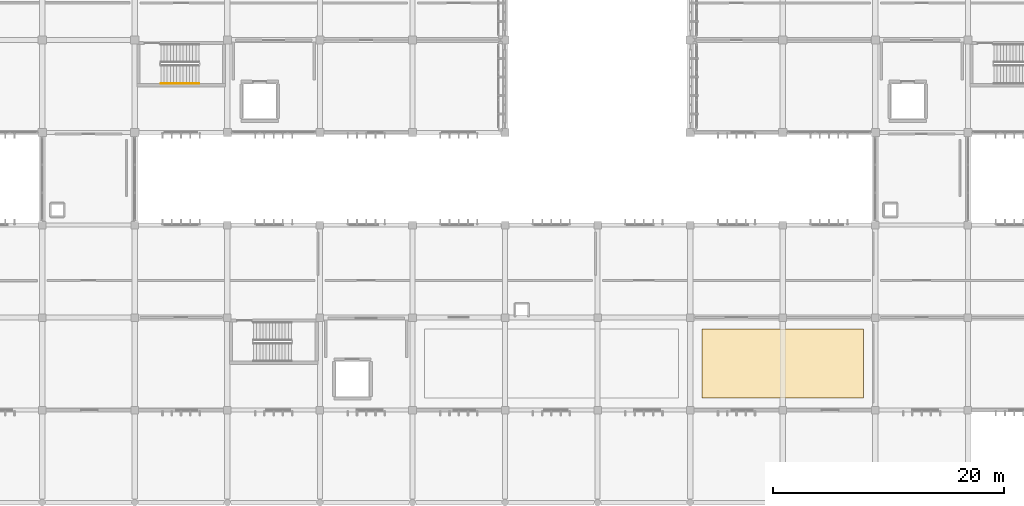
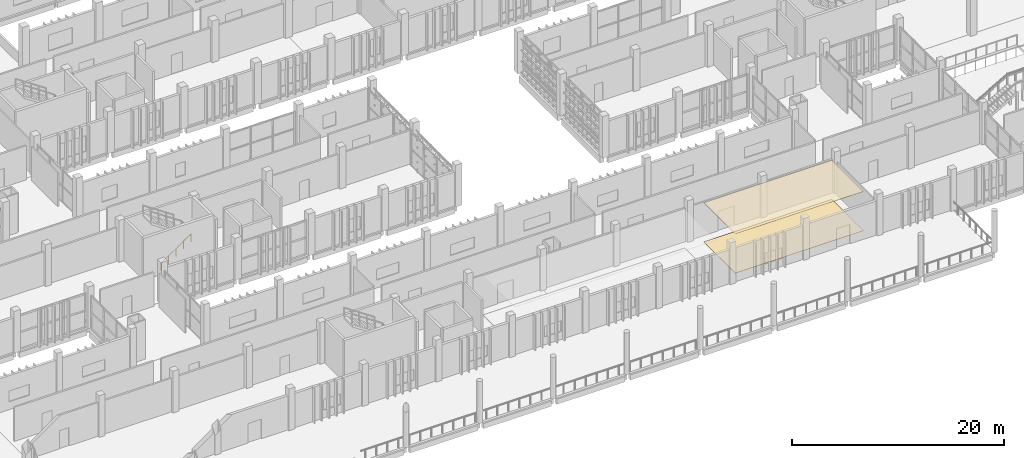
# One storey, part 101 of 106: 2 coverings, 1 railing.
"""IFC4 building model written with IfcOpenShell, lengths in metres."""

from ifc_helpers import new_model, si_unit, direction, frame, origin, origin_2d, place, context, subcontext, project, spatial, polyline, circle, outline, extrude, material, layer, layer_set, type_object, element, save


model = new_model("IFC4")

# Units and contexts
model_context = context("Model", 3, precision=1e-05, world=origin(), true_north=direction((0.0, 1.0)))
body_context = subcontext(model_context, "Body", "Model", "MODEL_VIEW")
ifc_project = project(units=[si_unit("LENGTHUNIT", "METRE"), si_unit("AREAUNIT", "SQUARE_METRE"), si_unit("VOLUMEUNIT", "CUBIC_METRE"), si_unit("PLANEANGLEUNIT", "RADIAN"), si_unit("MASSUNIT", "GRAM", prefix="KILO")], contexts=[model_context])

# Site, building, storey
site_placement = place(None, origin())
site = spatial("IfcSite", under=ifc_project, at=site_placement, CompositionType="ELEMENT")
building_placement = place(site_placement, origin())
building = spatial("IfcBuilding", under=site, at=building_placement, Name="Jelvoka-Kovrelna Polytechnic", CompositionType="ELEMENT")
storey_placement = place(building_placement, frame((0.0, 0.0, 4.800048828125)))
storey = spatial("IfcBuildingStorey", under=building, at=storey_placement, Name="L02", CompositionType="ELEMENT", Elevation=4.800048828125)

# Coverings
ifc_material_1 = material(Name="Mineral fibre acoustic ceiling tile")
ifc_layer_1 = layer(ifc_material_1, 0.02490234375)
ifc_layer_set_1 = layer_set([ifc_layer_1], Name="Mineral fibre acoustic ceiling tile")
covering_type_1 = type_object("IfcCoveringType", Name="Covering_Acoustic_Ceiling_25", PredefinedType="CEILING", material=ifc_layer_set_1)
covering_1_placement = place(storey_placement, frame((0.0, 0.0, 4.510009765625)))
element("IfcCovering", 1, at=covering_1_placement, inside=storey, type_object=covering_type_1, Name="L02 acoustic ceiling 018", PredefinedType="CEILING", context=body_context, shape_type="SweptSolid", body=[
    extrude(outline(polyline([(129.030029296875, 9.050048828125), (142.969970703125, 9.050048828125), (142.969970703125, 15.0), (129.030029296875, 15.0), (129.030029296875, 9.050048828125)])), origin(), (0.0, 0.0, 1.0), 0.02490234375),
])
ifc_material_2 = material(Name="Polished epoxy terrazzo flooring")
ifc_layer_2 = layer(ifc_material_2, 0.030029296875)
ifc_layer_set_2 = layer_set([ifc_layer_2], Name="Polished epoxy terrazzo flooring")
covering_type_2 = type_object("IfcCoveringType", Name="Covering_Terrazzo_Floor_30", PredefinedType="FLOORING", material=ifc_layer_set_2)
covering_2_placement = place(storey_placement, origin())
element("IfcCovering", 2, at=covering_2_placement, inside=storey, type_object=covering_type_2, Name="L02 terrazzo floor finish 018", PredefinedType="FLOORING", context=body_context, shape_type="SweptSolid", body=[
    extrude(outline(polyline([(129.030029296875, 9.050048828125), (142.969970703125, 9.050048828125), (142.969970703125, 15.0), (129.030029296875, 15.0), (129.030029296875, 9.050048828125)])), origin(), (0.0, 0.0, 1.0), 0.030029296875),
])

# Railing
ifc_material_3 = material(Name="Brushed stainless steel handrail", Category="steel")
railing_type = type_object("IfcRailingType", Name="Railing_Stair_Handrail_900", PredefinedType="HANDRAIL", material=ifc_material_3)
railing_placement = place(storey_placement, frame((82.25, 36.25, 0.1845703125)))
element("IfcRailing", 3, at=railing_placement, inside=storey, type_object=railing_type, Name="L02 ST07 stair handrail 1", PredefinedType="HANDRAIL", context=body_context, shape_type="SweptSolid", body=[
    extrude(circle(Radius=0.02392578125, at=origin_2d()), frame((0.0, 0.0, 0.8759765625), z_axis=(0.830269453126, 0.0, 0.557362211857), x_axis=(0.0, 1.0, 0.0)), (0.0, 0.0, 1.0), 3.974609375),
    extrude(circle(Radius=0.02099609375, at=origin_2d()), origin(), (0.0, 0.0, 1.0), 0.851806640625),
    extrude(circle(Radius=0.02099609375, at=origin_2d()), frame((0.824951171875, 0.0, 0.5537109375)), (0.0, 0.0, 1.0), 0.851806640625),
    extrude(circle(Radius=0.02099609375, at=origin_2d()), frame((1.64990234375, 0.0, 1.107666015625)), (0.0, 0.0, 1.0), 0.851806640625),
    extrude(circle(Radius=0.02099609375, at=origin_2d()), frame((2.47509765625, 0.0, 1.66162109375)), (0.0, 0.0, 1.0), 0.851806640625),
    extrude(circle(Radius=0.02099609375, at=origin_2d()), frame((3.300048828125, 0.0, 2.21533203125)), (0.0, 0.0, 1.0), 0.851806640625),
])

save(model, "model.ifc")
